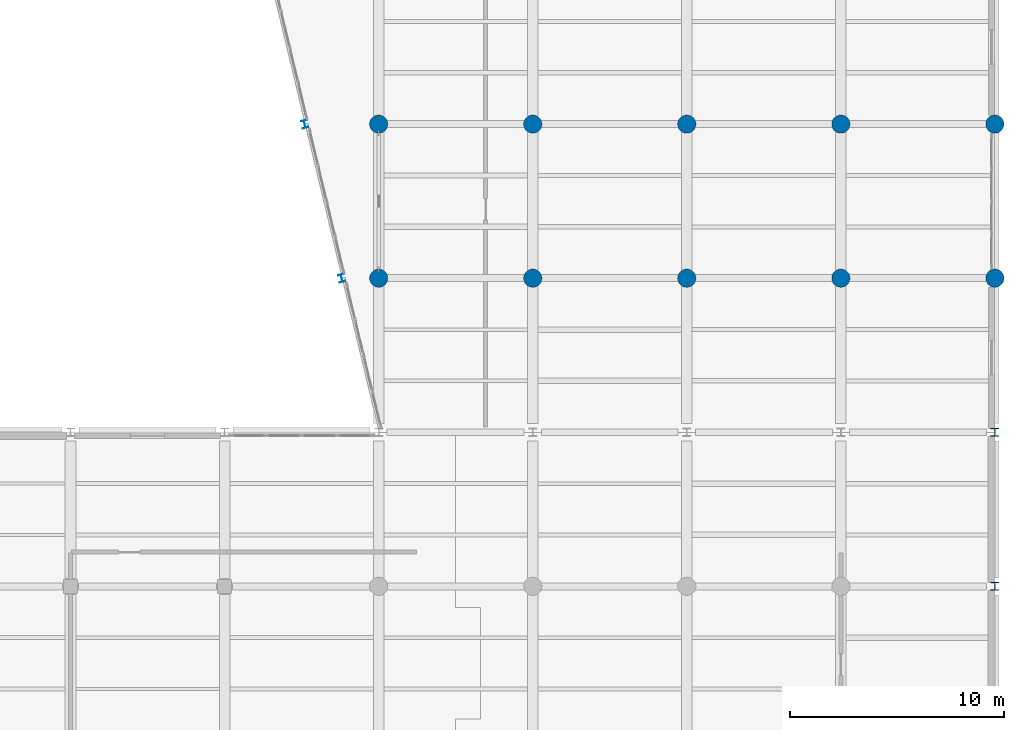
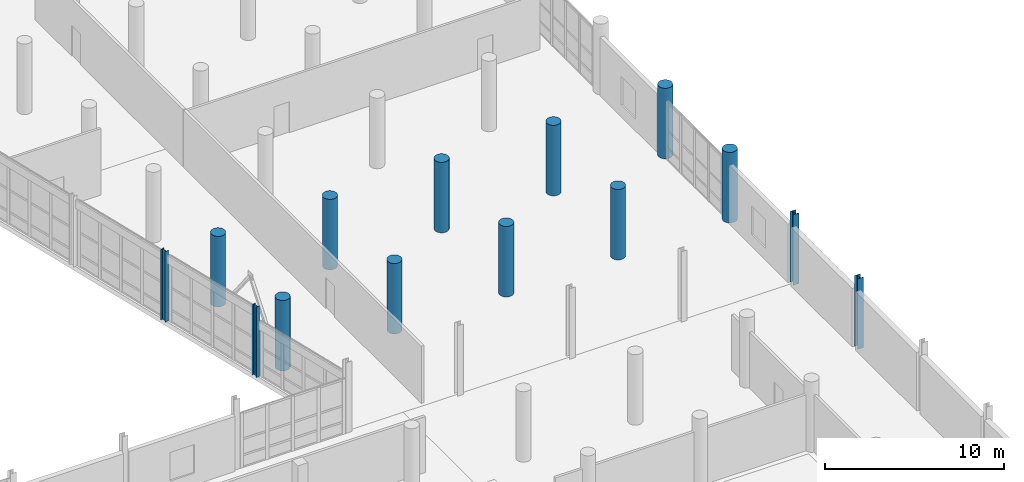
# One storey, part 10 of 127: 14 columns.
"""IFC4 building model written with IfcOpenShell, lengths in metres."""

from ifc_helpers import new_model, si_unit, direction, frame, origin, origin_2d, place, context, subcontext, project, spatial, circle, i_section, extrude, material, material_profile, profile_set, type_object, element, save


model = new_model("IFC4")

# Units and contexts
model_context = context("Model", 3, precision=1e-05, world=origin(), true_north=direction((0.0, 1.0)))
body_context = subcontext(model_context, "Body", "Model", "MODEL_VIEW")
ifc_project = project(units=[si_unit("LENGTHUNIT", "METRE"), si_unit("AREAUNIT", "SQUARE_METRE"), si_unit("VOLUMEUNIT", "CUBIC_METRE"), si_unit("PLANEANGLEUNIT", "RADIAN"), si_unit("MASSUNIT", "GRAM", prefix="KILO")], contexts=[model_context])

# Site, building, storey
site_placement = place(None, origin())
site = spatial("IfcSite", under=ifc_project, at=site_placement, CompositionType="ELEMENT")
building_placement = place(site_placement, origin())
building = spatial("IfcBuilding", under=site, at=building_placement, Name="Kalmorath City Hall", CompositionType="ELEMENT")
storey_placement = place(building_placement, frame((0.0, 0.0, 5.39990234375)))
storey = spatial("IfcBuildingStorey", under=building, at=storey_placement, Name="L01", CompositionType="ELEMENT", Elevation=5.39990234375)

# Columns
ifc_material_1 = material(Name="Concrete C50/60", Category="concrete")
ifc_material_profile_1 = material_profile(ifc_material_1, circle(Radius=0.425048828125, at=origin_2d()), Name="RC-COL-D850")
ifc_profile_set_1 = profile_set([ifc_material_profile_1], Name="Concrete C50/60")
column_type_1 = type_object("IfcColumnType", Name="Circular concrete column D850", PredefinedType="COLUMN", material=ifc_profile_set_1)
for number, where, z_axis, x_axis, name in (
    (1, (136.800048828125, 50.39990234375, 0.0), (0.0, 0.0, 1.0), (1.0, 0.0, 0.0), "L01 column C7 (20/8)"),
    (2, (136.800048828125, 57.60009765625, 0.0), (0.0, 0.0, 1.0), (1.0, 0.0, 0.0), "L01 column C7 (20/9)"),
    (3, (144.0, 50.39990234375, 0.0), (0.0, 0.0, 1.0), (1.0, 0.0, 0.0), "L01 column C7 (21/8)"),
    (4, (144.0, 57.60009765625, 0.0), (0.0, 0.0, 1.0), (1.0, 0.0, 0.0), "L01 column C7 (21/9)"),
    (5, (151.199951171875, 50.39990234375, 0.0), (0.0, 0.0, 1.0), (1.0, 0.0, 0.0), "L01 column C7 (22/8)"),
    (6, (151.199951171875, 57.60009765625, 0.0), (0.0, 0.0, 1.0), (1.0, 0.0, 0.0), "L01 column C7 (22/9)"),
    (7, (158.39990234375, 50.39990234375, 0.0), (0.0, 0.0, 1.0), (1.0, 0.0, 0.0), "L01 column C7 (23/8)"),
    (8, (158.39990234375, 57.60009765625, 0.0), (0.0, 0.0, 1.0), (1.0, 0.0, 0.0), "L01 column C7 (23/9)"),
    (9, (165.60009765625, 50.39990234375, 0.0), (0.0, 0.0, 1.0), (1.0, 0.0, 0.0), "L01 column C7 (24/8)"),
    (10, (165.60009765625, 57.60009765625, 0.0), (0.0, 0.0, 1.0), (1.0, 0.0, 0.0), "L01 column C7 (24/9)"),
):
    element("IfcColumn", number, at=place(storey_placement, frame(where, z_axis=z_axis, x_axis=x_axis)), inside=storey, type_object=column_type_1, Name=name, PredefinedType="COLUMN", context=body_context, shape_type="SweptSolid", body=[
        extrude(circle(Radius=0.425048828125, at=origin_2d()), origin(), (0.0, 0.0, 1.0), 4.800048828125),
    ])
ifc_material_2 = material(Name="Steel ASTM A992 Grade 50", Category="steel")
ifc_material_profile_2 = material_profile(ifc_material_2, i_section(OverallWidth=0.3740234375, OverallDepth=0.3720703125, WebThickness=0.016357421875, FlangeThickness=0.026123046875, FilletRadius=0.01806640625, at=origin_2d()), Name="W14X132")
ifc_profile_set_2 = profile_set([ifc_material_profile_2], Name="Steel ASTM A992 Grade 50")
column_type_2 = type_object("IfcColumnType", Name="Steel wide-flange column W14X132", PredefinedType="COLUMN", material=ifc_profile_set_2)
for number, where, z_axis, x_axis, name in (
    (11, (165.60009765625, 36.0, 0.0), (0.0, 0.0, 1.0), (1.0, 0.0, 0.0), "L01 column SC2 (24/6)"),
    (12, (165.60009765625, 43.199951171875, 0.0), (0.0, 0.0, 1.0), (1.0, 0.0, 0.0), "L01 column SC2 (24/7)"),
):
    element("IfcColumn", number, at=place(storey_placement, frame(where, z_axis=z_axis, x_axis=x_axis)), inside=storey, type_object=column_type_2, Name=name, PredefinedType="COLUMN", context=body_context, shape_type="SweptSolid", body=[
        extrude(i_section(OverallWidth=0.3740234375, OverallDepth=0.3720703125, WebThickness=0.016357421875, FlangeThickness=0.026123046875, FilletRadius=0.01806640625, at=origin_2d()), origin(), (0.0, 0.0, 1.0), 4.800048828125),
    ])
ifc_material_3 = material(Name="Steel ASTM A992 Grade 50", Category="steel")
ifc_material_profile_3 = material_profile(ifc_material_3, i_section(OverallWidth=0.256103515625, OverallDepth=0.360107421875, WebThickness=0.011474609375, FlangeThickness=0.02001953125, FilletRadius=0.014892578125, at=origin_2d()), Name="W14X74")
ifc_profile_set_3 = profile_set([ifc_material_profile_3], Name="Steel ASTM A992 Grade 50")
column_type_3 = type_object("IfcColumnType", Name="Steel wide-flange column W14X74", PredefinedType="COLUMN", material=ifc_profile_set_3)
for number, where, z_axis, x_axis, name in (
    (13, (135.0712890625, 50.39990234375, 0.0), (0.0, 0.0, 1.0), (0.972369920398, 0.233445363856, 0.0), "L01 library splay column SC4-2"),
    (14, (133.343017578125, 57.60009765625, 0.0), (0.0, 0.0, 1.0), (0.972369920398, 0.233445363856, 0.0), "L01 library splay column SC4-3"),
):
    element("IfcColumn", number, at=place(storey_placement, frame(where, z_axis=z_axis, x_axis=x_axis)), inside=storey, type_object=column_type_3, Name=name, PredefinedType="COLUMN", context=body_context, shape_type="SweptSolid", body=[
        extrude(i_section(OverallWidth=0.256103515625, OverallDepth=0.360107421875, WebThickness=0.011474609375, FlangeThickness=0.02001953125, FilletRadius=0.014892578125, at=origin_2d()), origin(), (0.0, 0.0, 1.0), 4.800048828125),
    ])

save(model, "model.ifc")
